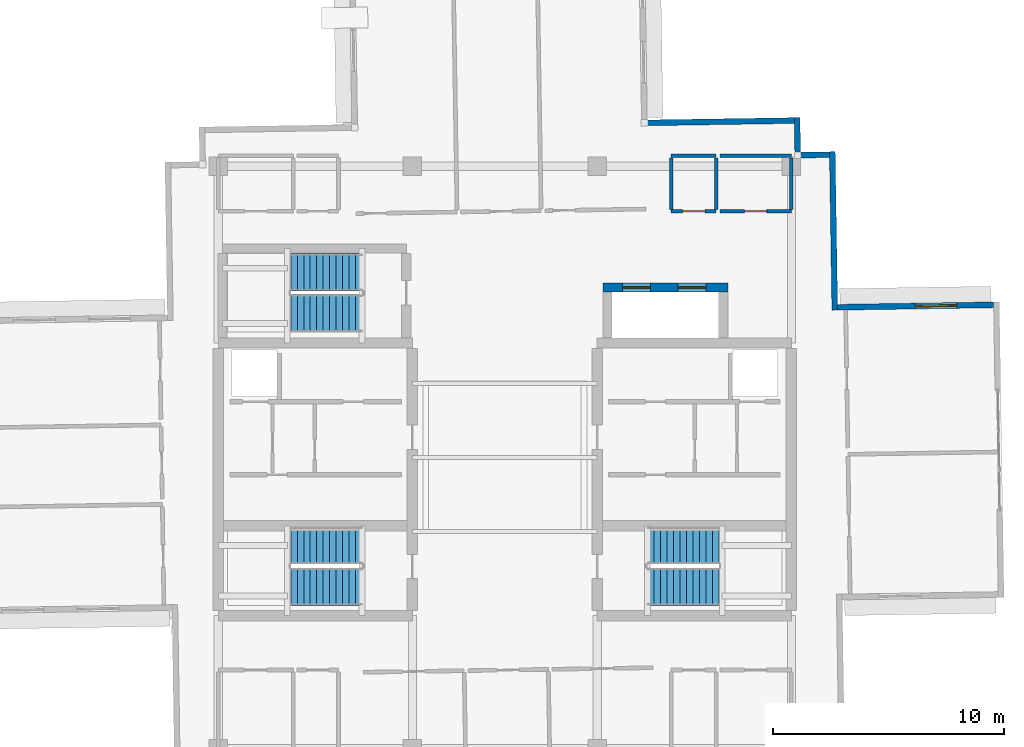
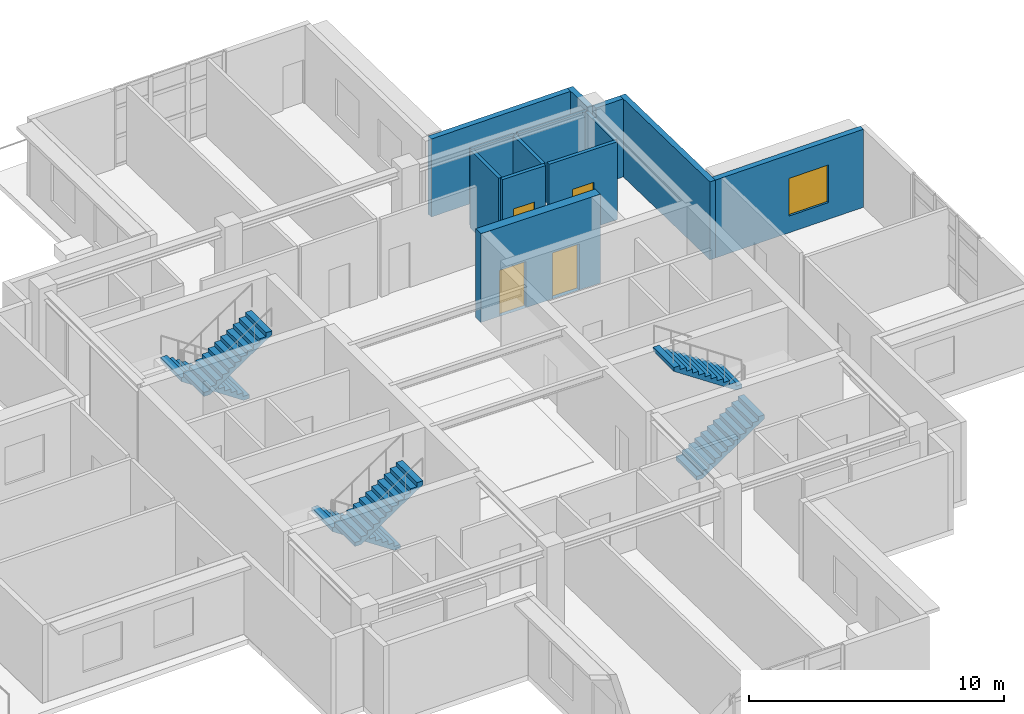
# One storey, part 13 of 18: 13 walls, 6 stair flights, 4 doors, 1 window, 5 openings, 3 elements without a shape of their own.
"""IFC4 building model written with IfcOpenShell, lengths in metres."""

from ifc_helpers import new_model, si_unit, direction, frame, frame_2d, origin, place, context, subcontext, project, spatial, polyline, rectangle, outline, extrude, material, layer, layer_set, type_object, element, fill, aggregate, save


model = new_model("IFC4")

# Units and contexts
model_context = context("Model", 3, precision=1e-05, world=origin(), true_north=direction((0.0, 1.0)))
body_context = subcontext(model_context, "Body", "Model", "MODEL_VIEW")
ifc_project = project(units=[si_unit("LENGTHUNIT", "METRE"), si_unit("AREAUNIT", "SQUARE_METRE"), si_unit("VOLUMEUNIT", "CUBIC_METRE"), si_unit("PLANEANGLEUNIT", "RADIAN"), si_unit("MASSUNIT", "GRAM", prefix="KILO")], contexts=[model_context])

# Site, building, storey
site_placement = place(None, origin())
site = spatial("IfcSite", under=ifc_project, at=site_placement, CompositionType="ELEMENT")
building_placement = place(site_placement, origin())
building = spatial("IfcBuilding", under=site, at=building_placement, Name="Qingluan Cross Belvedere", CompositionType="ELEMENT")
storey_placement = place(building_placement, frame((0.0, 0.0, 303.89990234375)))
storey = spatial("IfcBuildingStorey", under=building, at=storey_placement, Name="L75", CompositionType="ELEMENT", Elevation=303.89990234375)

# Wall, openings, doors
ifc_material_1 = material(Name="Concrete C50", Category="concrete")
ifc_layer_1 = layer(ifc_material_1, 0.449951171875, Name="CoreShearWall_450")
ifc_layer_set_1 = layer_set([ifc_layer_1], Name="Concrete C50")
wall_type_1 = type_object("IfcWallType", Name="CoreShearWall_450", PredefinedType="SHEAR", material=ifc_layer_set_1)
wall_1_placement = place(storey_placement, frame((4.25, 7.35009765625, 0.0), z_axis=(0.0, 0.0, 1.0), x_axis=(1.0, 0.0, 0.0)))
wall_1 = element("IfcWall", 1, at=wall_1_placement, inside=storey, type_object=wall_type_1, Name="Express shuttle core wall L75-N", PredefinedType="SHEAR", context=body_context, shape_type="SweptSolid", body=[
    extrude(rectangle(XDim=5.39990234375, YDim=0.39990234375, at=frame_2d((2.699951171875, 0.0))), origin(), (0.0, 0.0, 1.0), 4.25),
])
opening_1_placement = place(wall_1_placement, frame((0.85009765625, 0.0, 0.0)))
opening_1 = element("IfcOpeningElement", 2, at=opening_1_placement, cuts=wall_1, Name="Opening LD-12", PredefinedType="OPENING", context=body_context, shape_type="SweptSolid", body=[
    extrude(rectangle(XDim=1.199951171875, YDim=2.199951171875, at=frame_2d((0.60009765625, 1.10009765625))), frame((0.0, 0.2099609375, 0.0), z_axis=(0.0, -1.0, 0.0), x_axis=(1.0, 0.0, 0.0)), (0.0, 0.0, 1.0), 0.419921875),
])
opening_2_placement = place(wall_1_placement, frame((3.25, 0.0, 0.0)))
opening_2 = element("IfcOpeningElement", 3, at=opening_2_placement, cuts=wall_1, Name="Opening LD-12", PredefinedType="OPENING", context=body_context, shape_type="SweptSolid", body=[
    extrude(rectangle(XDim=1.199951171875, YDim=2.199951171875, at=frame_2d((0.60009765625, 1.10009765625))), frame((0.0, 0.2099609375, 0.0), z_axis=(0.0, -1.0, 0.0), x_axis=(1.0, 0.0, 0.0)), (0.0, 0.0, 1.0), 0.419921875),
])
ifc_material_2 = material(Name="Bronze-anodised stainless steel lift landing door", Category="steel")
door_type_1 = type_object("IfcDoorType", Name="ExpressLiftSlidingDoor_1200", OperationType="DOUBLE_DOOR_SLIDING", PredefinedType="DOOR", material=ifc_material_2)
door_1_placement = place(opening_1_placement, origin())
door_1 = element("IfcDoor", 4, at=door_1_placement, inside=storey, type_object=door_type_1, Name="Express shuttle landing sliding door LPX1 L75", OperationType="DOUBLE_DOOR_SLIDING", OverallHeight=2.199951171875, OverallWidth=1.199951171875, PredefinedType="DOOR", context=body_context, shape_type="SweptSolid", body=[
    extrude(rectangle(XDim=1.199951171875, YDim=2.199951171875, at=frame_2d((0.60009765625, 1.10009765625))), frame((0.0, 0.02490234375, 0.0), z_axis=(0.0, -1.0, 0.0), x_axis=(1.0, 0.0, 0.0)), (0.0, 0.0, 1.0), 0.050048828125),
])
fill(opening_1, door_1)
door_2_placement = place(opening_2_placement, origin())
door_2 = element("IfcDoor", 5, at=door_2_placement, inside=storey, type_object=door_type_1, Name="Express shuttle landing sliding door LPX2 L75", OperationType="DOUBLE_DOOR_SLIDING", OverallHeight=2.199951171875, OverallWidth=1.199951171875, PredefinedType="DOOR", context=body_context, shape_type="SweptSolid", body=[
    extrude(rectangle(XDim=1.199951171875, YDim=2.199951171875, at=frame_2d((0.60009765625, 1.10009765625))), frame((0.0, 0.02490234375, 0.0), z_axis=(0.0, -1.0, 0.0), x_axis=(1.0, 0.0, 0.0)), (0.0, 0.0, 1.0), 0.050048828125),
])
fill(opening_2, door_2)

# Wall, opening, door
ifc_material_3 = material(Name="Gypsum plasterboard on steel stud acoustic partition", Category="steel")
ifc_layer_2 = layer(ifc_material_3, 0.159912109375, Name="CorridorPartition_160")
ifc_layer_set_2 = layer_set([ifc_layer_2], Name="Gypsum plasterboard on steel stud acoustic partition")
wall_type_2 = type_object("IfcWallType", Name="CorridorPartition_160", PredefinedType="PARTITIONING", material=ifc_layer_set_2)
wall_2_placement = place(storey_placement, frame((7.199951171875, 10.64990234375, 0.0), z_axis=(0.0, 0.0, 1.0), x_axis=(1.0, 0.0, 0.0)))
wall_2 = element("IfcWall", 6, at=wall_2_placement, inside=storey, type_object=wall_type_2, Name="Partition L75:crown_ne1:S", PredefinedType="PARTITIONING", context=body_context, shape_type="SweptSolid", body=[
    extrude(rectangle(XDim=1.949951171875, YDim=0.159912109375, at=frame_2d((0.97509765625, 0.0))), origin(), (0.0, 0.0, 1.0), 3.72021484375),
])
opening_3_placement = place(wall_2_placement, frame((0.4951171875, 0.0, 0.0)))
opening_3 = element("IfcOpeningElement", 7, at=opening_3_placement, cuts=wall_2, Name="Opening GD-10", PredefinedType="OPENING", context=body_context, shape_type="SweptSolid", body=[
    extrude(rectangle(XDim=0.9599609375, YDim=2.14990234375, at=frame_2d((0.47998046875, 1.074951171875))), frame((0.0, 0.08984375, 0.0), z_axis=(0.0, -1.0, 0.0), x_axis=(1.0, 0.0, 0.0)), (0.0, 0.0, 1.0), 0.179931640625),
])
ifc_material_4 = material(Name="Timber oak fire-rated acoustic guestroom door", Category="wood")
door_type_2 = type_object("IfcDoorType", Name="GuestEntryDoor_FD60", OperationType="NOTDEFINED", PredefinedType="DOOR", material=ifc_material_4)
door_3_placement = place(opening_3_placement, origin())
door_3 = element("IfcDoor", 8, at=door_3_placement, inside=storey, type_object=door_type_2, Name="Lower tea tasting room L75 door", OperationType="SINGLE_SWING_LEFT", OverallHeight=2.14990234375, OverallWidth=0.9599609375, PredefinedType="DOOR", context=body_context, shape_type="SweptSolid", body=[
    extrude(rectangle(XDim=0.9599609375, YDim=2.14990234375, at=frame_2d((0.47998046875, 1.074951171875))), frame((0.0, 0.02490234375, 0.0), z_axis=(0.0, -1.0, 0.0), x_axis=(1.0, 0.0, 0.0)), (0.0, 0.0, 1.0), 0.050048828125),
])
fill(opening_3, door_3)

# Walls
wall_3_placement = place(storey_placement, frame((7.199951171875, 13.050048828125, 0.0), z_axis=(0.0, 0.0, 1.0), x_axis=(1.0, 0.0, 0.0)))
element("IfcWall", 9, at=wall_3_placement, inside=storey, type_object=wall_type_2, Name="Partition L75:crown_ne1:N", PredefinedType="PARTITIONING", context=body_context, shape_type="SweptSolid", body=[
    extrude(rectangle(XDim=1.949951171875, YDim=0.159912109375, at=frame_2d((0.97509765625, 0.0))), origin(), (0.0, 0.0, 1.0), 3.72021484375),
])
for number, where, z_axis, x_axis, name in (
    (10, (7.199951171875, 10.735107421875, 0.0), (0.0, 0.0, 1.0), (0.0, 1.0, 0.0), "Partition L75:crown_ne1:W"),
    (11, (9.14990234375, 10.735107421875, 0.0), (0.0, 0.0, 1.0), (0.0, 1.0, 0.0), "Partition L75:crown_ne1:E"),
):
    element("IfcWall", number, at=place(storey_placement, frame(where, z_axis=z_axis, x_axis=x_axis)), inside=storey, type_object=wall_type_2, Name=name, PredefinedType="PARTITIONING", context=body_context, shape_type="SweptSolid", body=[
        extrude(rectangle(XDim=2.22998046875, YDim=0.159912109375, at=frame_2d((1.114990234375, 0.0))), origin(), (0.0, 0.0, 1.0), 3.72021484375),
    ])

# Wall, opening, door
wall_4_placement = place(storey_placement, frame((9.31005859375, 10.64990234375, 0.0), z_axis=(0.0, 0.0, 1.0), x_axis=(1.0, 0.0, 0.0)))
wall_4 = element("IfcWall", 12, at=wall_4_placement, inside=storey, type_object=wall_type_2, Name="Partition L75:crown_ne2:S", PredefinedType="PARTITIONING", context=body_context, shape_type="SweptSolid", body=[
    extrude(rectangle(XDim=3.08984375, YDim=0.159912109375, at=frame_2d((1.544921875, 0.0))), origin(), (0.0, 0.0, 1.0), 3.72021484375),
])
opening_4_placement = place(wall_4_placement, frame((1.06494140625, 0.0, 0.0)))
opening_4 = element("IfcOpeningElement", 13, at=opening_4_placement, cuts=wall_4, Name="Opening GD-10", PredefinedType="OPENING", context=body_context, shape_type="SweptSolid", body=[
    extrude(rectangle(XDim=0.9599609375, YDim=2.14990234375, at=frame_2d((0.47998046875, 1.074951171875))), frame((0.0, 0.08984375, 0.0), z_axis=(0.0, -1.0, 0.0), x_axis=(1.0, 0.0, 0.0)), (0.0, 0.0, 1.0), 0.179931640625),
])
door_4_placement = place(opening_4_placement, origin())
door_4 = element("IfcDoor", 14, at=door_4_placement, inside=storey, type_object=door_type_2, Name="Lower sommelier cellar L75 door", OperationType="SINGLE_SWING_RIGHT", OverallHeight=2.14990234375, OverallWidth=0.9599609375, PredefinedType="DOOR", context=body_context, shape_type="SweptSolid", body=[
    extrude(rectangle(XDim=0.9599609375, YDim=2.14990234375, at=frame_2d((0.47998046875, 1.074951171875))), frame((0.0, 0.02490234375, 0.0), z_axis=(0.0, -1.0, 0.0), x_axis=(1.0, 0.0, 0.0)), (0.0, 0.0, 1.0), 0.050048828125),
])
fill(opening_4, door_4)

# Walls
wall_5_placement = place(storey_placement, frame((9.31005859375, 13.050048828125, 0.0), z_axis=(0.0, 0.0, 1.0), x_axis=(1.0, 0.0, 0.0)))
element("IfcWall", 15, at=wall_5_placement, inside=storey, type_object=wall_type_2, Name="Partition L75:crown_ne2:N", PredefinedType="PARTITIONING", context=body_context, shape_type="SweptSolid", body=[
    extrude(rectangle(XDim=3.08984375, YDim=0.159912109375, at=frame_2d((1.544921875, 0.0))), origin(), (0.0, 0.0, 1.0), 3.72021484375),
])
wall_6_placement = place(storey_placement, frame((12.39990234375, 10.735107421875, 0.0), z_axis=(0.0, 0.0, 1.0), x_axis=(0.0, 1.0, 0.0)))
element("IfcWall", 16, at=wall_6_placement, inside=storey, type_object=wall_type_2, Name="Partition L75:crown_ne2:E", PredefinedType="PARTITIONING", context=body_context, shape_type="SweptSolid", body=[
    extrude(rectangle(XDim=2.22998046875, YDim=0.159912109375, at=frame_2d((1.114990234375, 0.0))), origin(), (0.0, 0.0, 1.0), 3.72021484375),
])

# Wall, opening, window
ifc_material_5 = material(Name="Precast concrete C45", Category="concrete")
ifc_layer_3 = layer(ifc_material_5, 0.25, Name="PrecastCrownWall_250")
ifc_layer_set_3 = layer_set([ifc_layer_3], Name="Precast concrete C45")
wall_type_3 = type_object("IfcWallType", Name="PrecastCrownWall_250", PredefinedType="STANDARD", material=ifc_layer_set_3)
wall_7_placement = place(storey_placement, frame((21.15380859375, 6.60302734375, 0.0), z_axis=(0.0, 0.0, 1.0), x_axis=(-0.999876783911, -0.015697674874, 0.0)))
wall_7 = element("IfcWall", 17, at=wall_7_placement, inside=storey, type_object=wall_type_3, Name="Facade wall L75-EB", PredefinedType="STANDARD", context=body_context, shape_type="SweptSolid", body=[
    extrude(rectangle(XDim=6.749755859375, YDim=0.25, at=frame_2d((3.375, 0.0))), origin(), (0.0, 0.0, 1.0), 3.72998046875),
])
opening_5_placement = place(wall_7_placement, frame((1.60009765625, 0.0, 0.800048828125)))
opening_5 = element("IfcOpeningElement", 18, at=opening_5_placement, cuts=wall_7, Name="Opening W-05", PredefinedType="OPENING", context=body_context, shape_type="SweptSolid", body=[
    extrude(rectangle(XDim=1.800048828125, YDim=1.800048828125, at=frame_2d((0.89990234375, 0.89990234375))), frame((0.0, 0.135009765625, 0.0), z_axis=(0.0, -1.0, 0.0), x_axis=(1.0, 0.0, 0.0)), (0.0, 0.0, 1.0), 0.27001953125),
])
ifc_material_6 = material(Name="Thermally broken triple Low-E glass in aluminium frame", Category="aluminium")
window_type = type_object("IfcWindowType", Name="CrownBelvedereWin_1800x1800", PartitioningType="SINGLE_PANEL", PredefinedType="WINDOW", material=ifc_material_6)
window_placement = place(opening_5_placement, origin())
window = element("IfcWindow", 19, at=window_placement, inside=storey, type_object=window_type, Name="Ribbon window L75-EB-1", OverallHeight=1.800048828125, OverallWidth=1.800048828125, PartitioningType="SINGLE_PANEL", PredefinedType="WINDOW", context=body_context, shape_type="SweptSolid", body=[
    extrude(rectangle(XDim=1.800048828125, YDim=1.800048828125, at=frame_2d((0.89990234375, 0.89990234375))), frame((0.0, 0.030029296875, 0.0), z_axis=(0.0, -1.0, 0.0), x_axis=(1.0, 0.0, 0.0)), (0.0, 0.0, 1.0), 0.06005859375),
])
fill(opening_5, window)

# Walls
wall_8_placement = place(storey_placement, frame((14.28173828125, 6.3701171875, 0.0), z_axis=(0.0, 0.0, 1.0), x_axis=(-0.015694809807, 0.999876828887, 0.0)))
element("IfcWall", 20, at=wall_8_placement, inside=storey, type_object=wall_type_3, Name="Corner wall L75-NE1", PredefinedType="STANDARD", context=body_context, shape_type="SweptSolid", body=[
    extrude(rectangle(XDim=6.85986328125, YDim=0.25, at=frame_2d((3.429931640625, 0.0))), origin(), (0.0, 0.0, 1.0), 3.72998046875),
])
wall_9_placement = place(storey_placement, frame((14.05078125, 13.102294921875, 0.0), z_axis=(0.0, 0.0, 1.0), x_axis=(-0.999877904354, -0.015626144237, 0.0)))
element("IfcWall", 21, at=wall_9_placement, inside=storey, type_object=wall_type_3, Name="Corner wall L75-NE2", PredefinedType="STANDARD", context=body_context, shape_type="SweptSolid", body=[
    extrude(rectangle(XDim=1.25, YDim=0.25, at=frame_2d((0.625, 0.0))), origin(), (0.0, 0.0, 1.0), 3.72998046875),
])
wall_10_placement = place(storey_placement, frame((12.674072265625, 13.205810546875, 0.0), z_axis=(0.0, 0.0, 1.0), x_axis=(-0.015625635615, 0.999877912303, 0.0)))
element("IfcWall", 22, at=wall_10_placement, inside=storey, type_object=wall_type_3, Name="Corner wall L75-NE3", PredefinedType="STANDARD", context=body_context, shape_type="SweptSolid", body=[
    extrude(rectangle(XDim=1.5, YDim=0.25, at=frame_2d((0.75, 0.0))), origin(), (0.0, 0.0, 1.0), 3.72998046875),
])
wall_11_placement = place(storey_placement, frame((12.527587890625, 14.57861328125, 0.0), z_axis=(0.0, 0.0, 1.0), x_axis=(-0.999876749821, -0.015699846079, 0.0)))
element("IfcWall", 23, at=wall_11_placement, inside=storey, type_object=wall_type_3, Name="Corner wall L75-NE4", PredefinedType="STANDARD", context=body_context, shape_type="SweptSolid", body=[
    extrude(rectangle(XDim=6.360107421875, YDim=0.25, at=frame_2d((3.18017578125, 0.0))), origin(), (0.0, 0.0, 1.0), 3.72998046875),
])

# Stair, stair flights
ifc_material_7 = material(Name="Concrete C40", Category="concrete")
stair_type = type_object("IfcStairType", Name="CoreDoglegStair_1620", PredefinedType="HALF_TURN_STAIR", material=ifc_material_7)
stair_1_placement = place(storey_placement, origin())
stair_1 = element("IfcStair", 24, at=stair_1_placement, inside=storey, type_object=stair_type, Name="L75 ST1", PredefinedType="HALF_TURN_STAIR")
ifc_material_8 = material(Name="Concrete C40", Category="concrete")
ifc_layer_4 = layer(ifc_material_8, 0.179931640625, Name="StairFlight_RC180")
ifc_layer_set_4 = layer_set([ifc_layer_4], Name="Concrete C40")
stair_flight_type = type_object("IfcStairFlightType", Name="StairFlight_RC180", PredefinedType="STRAIGHT", material=ifc_layer_set_4)
stair_flight_1_placement = place(storey_placement, frame((-6.179931640625, -3.81005859375, 0.0), z_axis=(0.0, 0.0, 1.0), x_axis=(-1.0, 0.0, 0.0)))
stair_flight_1 = element("IfcStairFlight", 25, at=stair_flight_1_placement, type_object=stair_flight_type, Name="ST1 flight 1", NumberOfRisers=12, NumberOfTreads=11, PredefinedType="STRAIGHT", RiserHeight=0.1875, TreadLength=0.28, context=body_context, shape_type="SweptSolid", body=[
    extrude(outline(polyline([(0.0, 0.0), (0.0, 0.1875), (0.280029296875, 0.1875), (0.280029296875, 0.375), (0.56005859375, 0.375), (0.56005859375, 0.5625), (0.840087890625, 0.5625), (0.840087890625, 0.75), (1.1201171875, 0.75), (1.1201171875, 0.9375), (1.39990234375, 0.9375), (1.39990234375, 1.125), (1.679931640625, 1.125), (1.679931640625, 1.3125), (1.9599609375, 1.3125), (1.9599609375, 1.5), (2.239990234375, 1.5), (2.239990234375, 1.6875), (2.52001953125, 1.6875), (2.52001953125, 1.875), (2.800048828125, 1.875), (2.800048828125, 2.0625), (3.080078125, 2.0625), (3.080078125, 2.25), (3.080078125, 1.882080078125), (0.26953125, 0.0), (0.0, 0.0)])), frame((0.0, 0.81005859375, 0.0), z_axis=(0.0, -1.0, 0.0), x_axis=(1.0, 0.0, 0.0)), (0.0, 0.0, 1.0), 1.6201171875),
])
stair_flight_2_placement = place(storey_placement, frame((-9.260009765625, -5.590087890625, 2.25), z_axis=(0.0, 0.0, 1.0), x_axis=(1.0, 0.0, 0.0)))
stair_flight_2 = element("IfcStairFlight", 26, at=stair_flight_2_placement, type_object=stair_flight_type, Name="ST1 flight 2", NumberOfRisers=12, NumberOfTreads=11, PredefinedType="STRAIGHT", RiserHeight=0.1875, TreadLength=0.28, context=body_context, shape_type="SweptSolid", body=[
    extrude(outline(polyline([(0.0, 0.0), (0.0, 0.1875), (0.280029296875, 0.1875), (0.280029296875, 0.375), (0.56005859375, 0.375), (0.56005859375, 0.5625), (0.840087890625, 0.5625), (0.840087890625, 0.75), (1.1201171875, 0.75), (1.1201171875, 0.9375), (1.39990234375, 0.9375), (1.39990234375, 1.125), (1.679931640625, 1.125), (1.679931640625, 1.3125), (1.9599609375, 1.3125), (1.9599609375, 1.5), (2.239990234375, 1.5), (2.239990234375, 1.6875), (2.52001953125, 1.6875), (2.52001953125, 1.875), (2.800048828125, 1.875), (2.800048828125, 2.0625), (3.080078125, 2.0625), (3.080078125, 2.25), (3.080078125, 1.882080078125), (0.26953125, 0.0), (0.0, 0.0)])), frame((0.0, 0.81005859375, 0.0), z_axis=(0.0, -1.0, 0.0), x_axis=(1.0, 0.0, 0.0)), (0.0, 0.0, 1.0), 1.6201171875),
])
aggregate(stair_1, [stair_flight_1, stair_flight_2])

stair_2_placement = place(storey_placement, origin())
stair_2 = element("IfcStair", 27, at=stair_2_placement, inside=storey, type_object=stair_type, Name="L75 ST2", PredefinedType="HALF_TURN_STAIR")
stair_flight_3_placement = place(storey_placement, frame((6.179931640625, -5.590087890625, 0.0), z_axis=(0.0, 0.0, 1.0), x_axis=(1.0, 0.0, 0.0)))
stair_flight_3 = element("IfcStairFlight", 28, at=stair_flight_3_placement, type_object=stair_flight_type, Name="ST2 flight 1", NumberOfRisers=12, NumberOfTreads=11, PredefinedType="STRAIGHT", RiserHeight=0.1875, TreadLength=0.28, context=body_context, shape_type="SweptSolid", body=[
    extrude(outline(polyline([(0.0, 0.0), (0.0, 0.1875), (0.280029296875, 0.1875), (0.280029296875, 0.375), (0.56005859375, 0.375), (0.56005859375, 0.5625), (0.840087890625, 0.5625), (0.840087890625, 0.75), (1.1201171875, 0.75), (1.1201171875, 0.9375), (1.39990234375, 0.9375), (1.39990234375, 1.125), (1.679931640625, 1.125), (1.679931640625, 1.3125), (1.9599609375, 1.3125), (1.9599609375, 1.5), (2.239990234375, 1.5), (2.239990234375, 1.6875), (2.52001953125, 1.6875), (2.52001953125, 1.875), (2.800048828125, 1.875), (2.800048828125, 2.0625), (3.080078125, 2.0625), (3.080078125, 2.25), (3.080078125, 1.882080078125), (0.26953125, 0.0), (0.0, 0.0)])), frame((0.0, 0.81005859375, 0.0), z_axis=(0.0, -1.0, 0.0), x_axis=(1.0, 0.0, 0.0)), (0.0, 0.0, 1.0), 1.6201171875),
])
stair_flight_4_placement = place(storey_placement, frame((9.260009765625, -3.81005859375, 2.25), z_axis=(0.0, 0.0, 1.0), x_axis=(-1.0, 0.0, 0.0)))
stair_flight_4 = element("IfcStairFlight", 29, at=stair_flight_4_placement, type_object=stair_flight_type, Name="ST2 flight 2", NumberOfRisers=12, NumberOfTreads=11, PredefinedType="STRAIGHT", RiserHeight=0.1875, TreadLength=0.28, context=body_context, shape_type="SweptSolid", body=[
    extrude(outline(polyline([(0.0, 0.0), (0.0, 0.1875), (0.280029296875, 0.1875), (0.280029296875, 0.375), (0.56005859375, 0.375), (0.56005859375, 0.5625), (0.840087890625, 0.5625), (0.840087890625, 0.75), (1.1201171875, 0.75), (1.1201171875, 0.9375), (1.39990234375, 0.9375), (1.39990234375, 1.125), (1.679931640625, 1.125), (1.679931640625, 1.3125), (1.9599609375, 1.3125), (1.9599609375, 1.5), (2.239990234375, 1.5), (2.239990234375, 1.6875), (2.52001953125, 1.6875), (2.52001953125, 1.875), (2.800048828125, 1.875), (2.800048828125, 2.0625), (3.080078125, 2.0625), (3.080078125, 2.25), (3.080078125, 1.882080078125), (0.26953125, 0.0), (0.0, 0.0)])), frame((0.0, 0.81005859375, 0.0), z_axis=(0.0, -1.0, 0.0), x_axis=(1.0, 0.0, 0.0)), (0.0, 0.0, 1.0), 1.6201171875),
])
aggregate(stair_2, [stair_flight_3, stair_flight_4])

stair_3_placement = place(storey_placement, origin())
stair_3 = element("IfcStair", 30, at=stair_3_placement, inside=storey, type_object=stair_type, Name="L75 ST3", PredefinedType="HALF_TURN_STAIR")
stair_flight_5_placement = place(storey_placement, frame((-6.179931640625, 8.010009765625, 0.0), z_axis=(0.0, 0.0, 1.0), x_axis=(-1.0, 0.0, 0.0)))
stair_flight_5 = element("IfcStairFlight", 31, at=stair_flight_5_placement, type_object=stair_flight_type, Name="ST3 flight 1", NumberOfRisers=12, NumberOfTreads=11, PredefinedType="STRAIGHT", RiserHeight=0.1875, TreadLength=0.28, context=body_context, shape_type="SweptSolid", body=[
    extrude(outline(polyline([(0.0, 0.0), (0.0, 0.1875), (0.280029296875, 0.1875), (0.280029296875, 0.375), (0.56005859375, 0.375), (0.56005859375, 0.5625), (0.840087890625, 0.5625), (0.840087890625, 0.75), (1.1201171875, 0.75), (1.1201171875, 0.9375), (1.39990234375, 0.9375), (1.39990234375, 1.125), (1.679931640625, 1.125), (1.679931640625, 1.3125), (1.9599609375, 1.3125), (1.9599609375, 1.5), (2.239990234375, 1.5), (2.239990234375, 1.6875), (2.52001953125, 1.6875), (2.52001953125, 1.875), (2.800048828125, 1.875), (2.800048828125, 2.0625), (3.080078125, 2.0625), (3.080078125, 2.25), (3.080078125, 1.882080078125), (0.26953125, 0.0), (0.0, 0.0)])), frame((0.0, 0.81005859375, 0.0), z_axis=(0.0, -1.0, 0.0), x_axis=(1.0, 0.0, 0.0)), (0.0, 0.0, 1.0), 1.6201171875),
])
stair_flight_6_placement = place(storey_placement, frame((-9.260009765625, 6.22998046875, 2.25), z_axis=(0.0, 0.0, 1.0), x_axis=(1.0, 0.0, 0.0)))
stair_flight_6 = element("IfcStairFlight", 32, at=stair_flight_6_placement, type_object=stair_flight_type, Name="ST3 flight 2", NumberOfRisers=12, NumberOfTreads=11, PredefinedType="STRAIGHT", RiserHeight=0.1875, TreadLength=0.28, context=body_context, shape_type="SweptSolid", body=[
    extrude(outline(polyline([(0.0, 0.0), (0.0, 0.1875), (0.280029296875, 0.1875), (0.280029296875, 0.375), (0.56005859375, 0.375), (0.56005859375, 0.5625), (0.840087890625, 0.5625), (0.840087890625, 0.75), (1.1201171875, 0.75), (1.1201171875, 0.9375), (1.39990234375, 0.9375), (1.39990234375, 1.125), (1.679931640625, 1.125), (1.679931640625, 1.3125), (1.9599609375, 1.3125), (1.9599609375, 1.5), (2.239990234375, 1.5), (2.239990234375, 1.6875), (2.52001953125, 1.6875), (2.52001953125, 1.875), (2.800048828125, 1.875), (2.800048828125, 2.0625), (3.080078125, 2.0625), (3.080078125, 2.25), (3.080078125, 1.882080078125), (0.26953125, 0.0), (0.0, 0.0)])), frame((0.0, 0.81005859375, 0.0), z_axis=(0.0, -1.0, 0.0), x_axis=(1.0, 0.0, 0.0)), (0.0, 0.0, 1.0), 1.6201171875),
])
aggregate(stair_3, [stair_flight_5, stair_flight_6])

save(model, "model.ifc")
